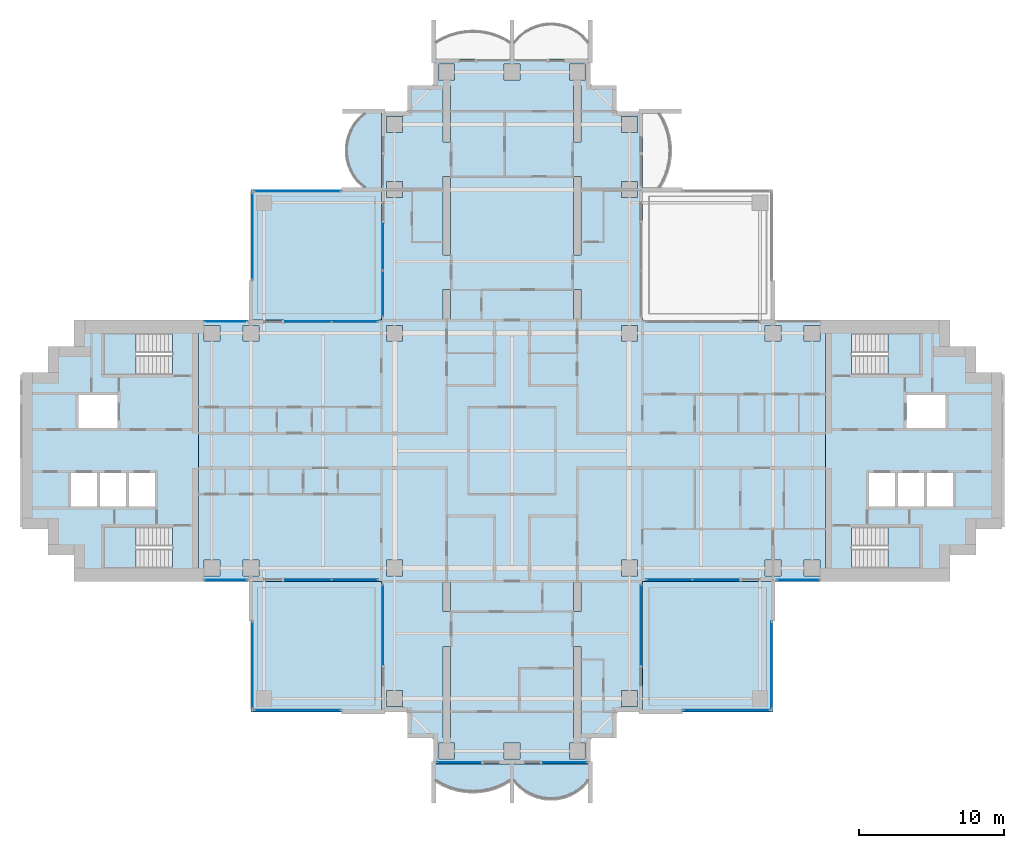
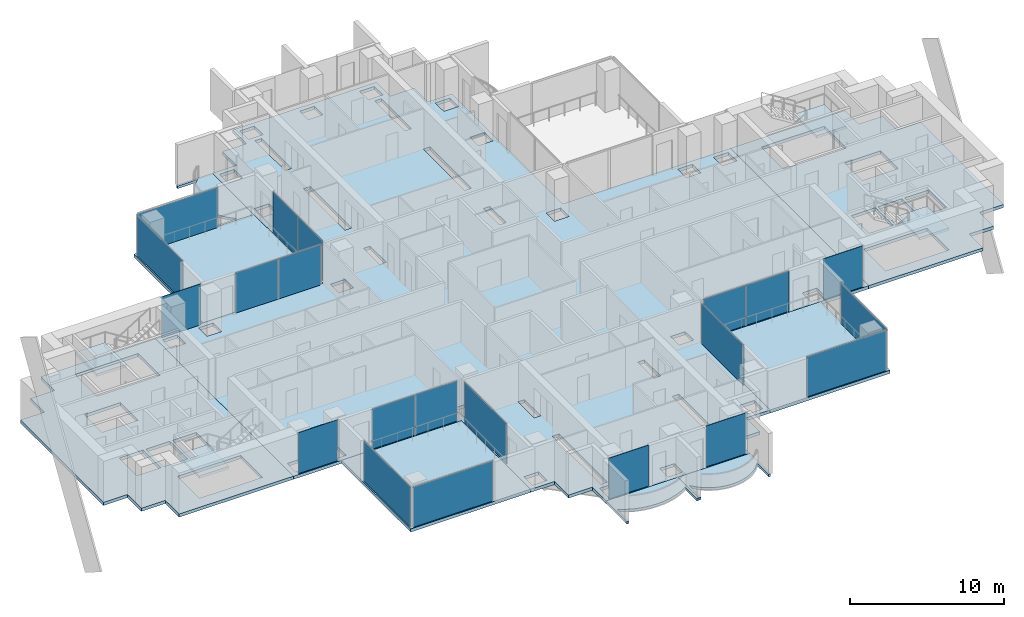
# One storey, part 7 of 19: 21 plates, 13 slabs, 21 elements without a shape of their own.
"""IFC4 building model written with IfcOpenShell, lengths in metres."""

from ifc_helpers import new_model, si_unit, direction, frame, origin, origin_2d, place, context, subcontext, project, spatial, polyline, rectangle, outline, extrude, material, layer, layer_set, type_object, element, aggregate, save


model = new_model("IFC4")

# Units and contexts
model_context = context("Model", 3, precision=1e-05, world=origin(), true_north=direction((0.0, 1.0)))
body_context = subcontext(model_context, "Body", "Model", "MODEL_VIEW")
ifc_project = project(units=[si_unit("LENGTHUNIT", "METRE"), si_unit("AREAUNIT", "SQUARE_METRE"), si_unit("VOLUMEUNIT", "CUBIC_METRE"), si_unit("PLANEANGLEUNIT", "RADIAN"), si_unit("MASSUNIT", "GRAM", prefix="KILO")], contexts=[model_context])

# Site, building, storey
site_placement = place(None, origin())
site = spatial("IfcSite", under=ifc_project, at=site_placement, CompositionType="ELEMENT")
building_placement = place(site_placement, origin())
building = spatial("IfcBuilding", under=site, at=building_placement, Name="Perihelion Cross Residences", CompositionType="ELEMENT")
storey_placement = place(building_placement, frame((0.0, 0.0, 109.39990234375)))
storey = spatial("IfcBuildingStorey", under=building, at=storey_placement, Name="L25", CompositionType="ELEMENT", Elevation=109.39990234375)

# Slabs
ifc_material_1 = material(Name="Concrete C40/50", Category="concrete")
ifc_layer_1 = layer(ifc_material_1, 0.199951171875)
ifc_layer_set_1 = layer_set([ifc_layer_1], Name="Balcony slab 200")
slab_type_1 = type_object("IfcSlabType", Name="Balcony slab 200", PredefinedType="FLOOR", material=ifc_layer_set_1)
slab_1_placement = place(storey_placement, frame((0.0, 0.0, -0.199951171875)))
element("IfcSlab", 1, at=slab_1_placement, inside=storey, type_object=slab_type_1, Name="Slab BK1 L25 north side west bay 1 balcony", PredefinedType="FLOOR", context=body_context, shape_type="SweptSolid", body=[
    extrude(outline(polyline([(-9.0, 23.39990234375), (-9.0, 18.0), (-11.699951171875, 18.0), (-11.699951171875, 18.14990234375), (-10.199951171875, 18.14990234375), (-10.622314453125, 18.542236328125), (-10.924072265625, 18.9345703125), (-11.143310546875, 19.326904296875), (-11.29736328125, 19.71923828125), (-11.39599609375, 20.111572265625), (-11.444091796875, 20.50390625), (-11.444091796875, 20.896240234375), (-11.39599609375, 21.28857421875), (-11.29736328125, 21.6806640625), (-11.143310546875, 22.072998046875), (-10.924072265625, 22.46533203125), (-10.622314453125, 22.857666015625), (-10.199951171875, 23.25), (-11.699951171875, 23.25), (-11.699951171875, 23.39990234375), (-9.0, 23.39990234375)])), origin(), (0.0, 0.0, 1.0), 0.199951171875),
])
slab_2_placement = place(storey_placement, frame((0.0, 0.0, -0.199951171875)))
element("IfcSlab", 2, at=slab_2_placement, inside=storey, type_object=slab_type_1, Name="Slab BK1 L25 south tip south bay 1 balcony", PredefinedType="FLOOR", context=body_context, shape_type="SweptSolid", body=[
    extrude(outline(polyline([(-5.39990234375, -21.60009765625), (0.0, -21.60009765625), (0.0, -24.300048828125), (-0.14990234375, -24.300048828125), (-0.14990234375, -22.800048828125), (-0.659912109375, -23.085205078125), (-1.169921875, -23.294677734375), (-1.679931640625, -23.438232421875), (-2.18994140625, -23.522216796875), (-2.699951171875, -23.550048828125), (-3.2099609375, -23.522216796875), (-3.719970703125, -23.438232421875), (-4.22998046875, -23.294677734375), (-4.739990234375, -23.085205078125), (-5.25, -22.800048828125), (-5.25, -24.300048828125), (-5.39990234375, -24.300048828125), (-5.39990234375, -21.60009765625)])), origin(), (0.0, 0.0, 1.0), 0.199951171875),
])
slab_3_placement = place(storey_placement, frame((0.0, 0.0, -0.199951171875)))
element("IfcSlab", 3, at=slab_3_placement, inside=storey, type_object=slab_type_1, Name="Slab BK1 L25 south tip south bay 2 balcony", PredefinedType="FLOOR", context=body_context, shape_type="SweptSolid", body=[
    extrude(outline(polyline([(0.0, -21.60009765625), (5.39990234375, -21.60009765625), (5.39990234375, -24.300048828125), (5.25, -24.300048828125), (5.25, -22.800048828125), (4.857666015625, -23.22216796875), (4.46533203125, -23.524169921875), (4.072998046875, -23.7431640625), (3.6806640625, -23.897216796875), (3.28857421875, -23.995849609375), (2.896240234375, -24.0439453125), (2.50390625, -24.0439453125), (2.111572265625, -23.995849609375), (1.71923828125, -23.897216796875), (1.326904296875, -23.7431640625), (0.9345703125, -23.524169921875), (0.542236328125, -23.22216796875), (0.14990234375, -22.800048828125), (0.14990234375, -24.300048828125), (0.0, -24.300048828125), (0.0, -21.60009765625)])), origin(), (0.0, 0.0, 1.0), 0.199951171875),
])

# Curtain wall, plates
ifc_material_2 = material(Name="Bronze anodised aluminium, tinted glazing", Category="aluminium")
curtain_wall_type_1 = type_object("IfcCurtainWallType", Name="CW1", PredefinedType="NOTDEFINED", material=ifc_material_2)
curtain_wall_1_placement = place(storey_placement, origin())
curtain_wall_1 = element("IfcCurtainWall", 4, at=curtain_wall_1_placement, inside=storey, type_object=curtain_wall_type_1, Name="Curtain wall CW1 L25 north side west bay 2", PredefinedType="NOTDEFINED")
ifc_material_3 = material(Name="Tinted laminated glass", Category="glass")
ifc_layer_2 = layer(ifc_material_3, 0.028076171875)
ifc_layer_set_2 = layer_set([ifc_layer_2], Name="CW1 panel")
plate_type_1 = type_object("IfcPlateType", Name="CW1 panel", PredefinedType="CURTAIN_PANEL", material=ifc_layer_set_2)
plate_1_placement = place(storey_placement, frame((-8.89990234375, 14.052490234375, 0.000244140625), z_axis=(0.0, 0.0, 1.0), x_axis=(0.0, -1.0, 0.0)))
plate_1 = element("IfcPlate", 5, at=plate_1_placement, type_object=plate_type_1, Name="CW1 panel 1", PredefinedType="CURTAIN_PANEL", context=body_context, shape_type="SweptSolid", body=[
    extrude(rectangle(XDim=3.195068359375, YDim=0.028076171875, at=origin_2d()), origin(), (0.0, 0.0, 1.0), 3.18994140625),
])
plate_2_placement = place(storey_placement, frame((-8.89990234375, 10.827392578125, 0.000244140625), z_axis=(0.0, 0.0, 1.0), x_axis=(0.0, -1.0, 0.0)))
plate_2 = element("IfcPlate", 6, at=plate_2_placement, type_object=plate_type_1, Name="CW1 panel 2", PredefinedType="CURTAIN_PANEL", context=body_context, shape_type="SweptSolid", body=[
    extrude(rectangle(XDim=3.135009765625, YDim=0.028076171875, at=origin_2d()), origin(), (0.0, 0.0, 1.0), 3.18994140625),
])
aggregate(curtain_wall_1, [plate_1, plate_2])

curtain_wall_2_placement = place(storey_placement, origin())
curtain_wall_2 = element("IfcCurtainWall", 7, at=curtain_wall_2_placement, inside=storey, type_object=curtain_wall_type_1, Name="Curtain wall CW1 L25 west side north bay 1", PredefinedType="NOTDEFINED")
plate_3_placement = place(storey_placement, frame((-10.827392578125, 8.89990234375, 0.000244140625), z_axis=(0.0, 0.0, 1.0), x_axis=(-1.0, 0.0, 0.0)))
plate_3 = element("IfcPlate", 8, at=plate_3_placement, type_object=plate_type_1, Name="CW1 panel 1", PredefinedType="CURTAIN_PANEL", context=body_context, shape_type="SweptSolid", body=[
    extrude(rectangle(XDim=3.135009765625, YDim=0.028076171875, at=origin_2d()), origin(), (0.0, 0.0, 1.0), 3.18994140625),
])
plate_4_placement = place(storey_placement, frame((-14.052490234375, 8.89990234375, 0.000244140625), z_axis=(0.0, 0.0, 1.0), x_axis=(-1.0, 0.0, 0.0)))
plate_4 = element("IfcPlate", 9, at=plate_4_placement, type_object=plate_type_1, Name="CW1 panel 2", PredefinedType="CURTAIN_PANEL", context=body_context, shape_type="SweptSolid", body=[
    extrude(rectangle(XDim=3.195068359375, YDim=0.028076171875, at=origin_2d()), origin(), (0.0, 0.0, 1.0), 3.18994140625),
])
aggregate(curtain_wall_2, [plate_3, plate_4])

# Curtain wall, plate
curtain_wall_3_placement = place(storey_placement, origin())
curtain_wall_3 = element("IfcCurtainWall", 10, at=curtain_wall_3_placement, inside=storey, type_object=curtain_wall_type_1, Name="Curtain wall CW1 L25 west side north bay 2", PredefinedType="NOTDEFINED")
plate_5_placement = place(storey_placement, frame((-19.72509765625, 8.89990234375, 0.0), z_axis=(0.0, 0.0, 1.0), x_axis=(-1.0, 0.0, 0.0)))
plate_5 = element("IfcPlate", 11, at=plate_5_placement, type_object=plate_type_1, Name="CW1 panel 1", PredefinedType="CURTAIN_PANEL", context=body_context, shape_type="SweptSolid", body=[
    extrude(rectangle(XDim=2.929931640625, YDim=0.028076171875, at=origin_2d()), origin(), (0.0, 0.0, 1.0), 3.25),
])
aggregate(curtain_wall_3, [plate_5])

curtain_wall_4_placement = place(storey_placement, origin())
curtain_wall_4 = element("IfcCurtainWall", 12, at=curtain_wall_4_placement, inside=storey, type_object=curtain_wall_type_1, Name="Curtain wall CW1 L25 west side south bay 1", PredefinedType="NOTDEFINED")
plate_6_placement = place(storey_placement, frame((-19.72509765625, -8.89990234375, 0.0), z_axis=(0.0, 0.0, 1.0), x_axis=(1.0, 0.0, 0.0)))
plate_6 = element("IfcPlate", 13, at=plate_6_placement, type_object=plate_type_1, Name="CW1 panel 1", PredefinedType="CURTAIN_PANEL", context=body_context, shape_type="SweptSolid", body=[
    extrude(rectangle(XDim=2.929931640625, YDim=0.028076171875, at=origin_2d()), origin(), (0.0, 0.0, 1.0), 3.25),
])
aggregate(curtain_wall_4, [plate_6])

# Curtain wall, plates
curtain_wall_5_placement = place(storey_placement, origin())
curtain_wall_5 = element("IfcCurtainWall", 14, at=curtain_wall_5_placement, inside=storey, type_object=curtain_wall_type_1, Name="Curtain wall CW1 L25 west side south bay 2", PredefinedType="NOTDEFINED")
plate_7_placement = place(storey_placement, frame((-14.052490234375, -8.89990234375, 0.000244140625), z_axis=(0.0, 0.0, 1.0), x_axis=(1.0, 0.0, 0.0)))
plate_7 = element("IfcPlate", 15, at=plate_7_placement, type_object=plate_type_1, Name="CW1 panel 1", PredefinedType="CURTAIN_PANEL", context=body_context, shape_type="SweptSolid", body=[
    extrude(rectangle(XDim=3.195068359375, YDim=0.028076171875, at=origin_2d()), origin(), (0.0, 0.0, 1.0), 3.18994140625),
])
plate_8_placement = place(storey_placement, frame((-10.827392578125, -8.89990234375, 0.000244140625), z_axis=(0.0, 0.0, 1.0), x_axis=(1.0, 0.0, 0.0)))
plate_8 = element("IfcPlate", 16, at=plate_8_placement, type_object=plate_type_1, Name="CW1 panel 2", PredefinedType="CURTAIN_PANEL", context=body_context, shape_type="SweptSolid", body=[
    extrude(rectangle(XDim=3.135009765625, YDim=0.028076171875, at=origin_2d()), origin(), (0.0, 0.0, 1.0), 3.18994140625),
])
aggregate(curtain_wall_5, [plate_7, plate_8])

# Curtain wall, plate
curtain_wall_6_placement = place(storey_placement, origin())
curtain_wall_6 = element("IfcCurtainWall", 17, at=curtain_wall_6_placement, inside=storey, type_object=curtain_wall_type_1, Name="Curtain wall CW1 L25 south side west bay 1", PredefinedType="NOTDEFINED")
plate_9_placement = place(storey_placement, frame((-8.89990234375, -12.0048828125, 0.000244140625), z_axis=(0.0, 0.0, 1.0), x_axis=(0.0, -1.0, 0.0)))
plate_9 = element("IfcPlate", 18, at=plate_9_placement, type_object=plate_type_1, Name="CW1 panel 1", PredefinedType="CURTAIN_PANEL", context=body_context, shape_type="SweptSolid", body=[
    extrude(rectangle(XDim=5.489990234375, YDim=0.028076171875, at=origin_2d()), origin(), (0.0, 0.0, 1.0), 3.18994140625),
])
aggregate(curtain_wall_6, [plate_9])

curtain_wall_7_placement = place(storey_placement, origin())
curtain_wall_7 = element("IfcCurtainWall", 19, at=curtain_wall_7_placement, inside=storey, type_object=curtain_wall_type_1, Name="Curtain wall CW1 L25 south tip south bay 1", PredefinedType="NOTDEFINED")
plate_10_placement = place(storey_placement, frame((-3.64501953125, -21.5, 0.0), z_axis=(0.0, 0.0, 1.0), x_axis=(1.0, 0.0, 0.0)))
plate_10 = element("IfcPlate", 20, at=plate_10_placement, type_object=plate_type_1, Name="CW1 panel 1", PredefinedType="CURTAIN_PANEL", context=body_context, shape_type="SweptSolid", body=[
    extrude(rectangle(XDim=2.989990234375, YDim=0.028076171875, at=origin_2d()), origin(), (0.0, 0.0, 1.0), 3.25),
])
aggregate(curtain_wall_7, [plate_10])

curtain_wall_8_placement = place(storey_placement, origin())
curtain_wall_8 = element("IfcCurtainWall", 21, at=curtain_wall_8_placement, inside=storey, type_object=curtain_wall_type_1, Name="Curtain wall CW1 L25 south tip south bay 2", PredefinedType="NOTDEFINED")
plate_11_placement = place(storey_placement, frame((3.64501953125, -21.5, 0.0), z_axis=(0.0, 0.0, 1.0), x_axis=(1.0, 0.0, 0.0)))
plate_11 = element("IfcPlate", 22, at=plate_11_placement, type_object=plate_type_1, Name="CW1 panel 1", PredefinedType="CURTAIN_PANEL", context=body_context, shape_type="SweptSolid", body=[
    extrude(rectangle(XDim=2.989990234375, YDim=0.028076171875, at=origin_2d()), origin(), (0.0, 0.0, 1.0), 3.25),
])
aggregate(curtain_wall_8, [plate_11])

curtain_wall_9_placement = place(storey_placement, origin())
curtain_wall_9 = element("IfcCurtainWall", 23, at=curtain_wall_9_placement, inside=storey, type_object=curtain_wall_type_1, Name="Curtain wall CW1 L25 south side east bay 1", PredefinedType="NOTDEFINED")
plate_12_placement = place(storey_placement, frame((8.89990234375, -12.0048828125, 0.000244140625), z_axis=(0.0, 0.0, 1.0), x_axis=(0.0, 1.0, 0.0)))
plate_12 = element("IfcPlate", 24, at=plate_12_placement, type_object=plate_type_1, Name="CW1 panel 1", PredefinedType="CURTAIN_PANEL", context=body_context, shape_type="SweptSolid", body=[
    extrude(rectangle(XDim=5.489990234375, YDim=0.028076171875, at=origin_2d()), origin(), (0.0, 0.0, 1.0), 3.18994140625),
])
aggregate(curtain_wall_9, [plate_12])

# Curtain wall, plates
curtain_wall_10_placement = place(storey_placement, origin())
curtain_wall_10 = element("IfcCurtainWall", 25, at=curtain_wall_10_placement, inside=storey, type_object=curtain_wall_type_1, Name="Curtain wall CW1 L25 east side south bay 1", PredefinedType="NOTDEFINED")
plate_13_placement = place(storey_placement, frame((10.827392578125, -8.89990234375, 0.000244140625), z_axis=(0.0, 0.0, 1.0), x_axis=(1.0, 0.0, 0.0)))
plate_13 = element("IfcPlate", 26, at=plate_13_placement, type_object=plate_type_1, Name="CW1 panel 1", PredefinedType="CURTAIN_PANEL", context=body_context, shape_type="SweptSolid", body=[
    extrude(rectangle(XDim=3.135009765625, YDim=0.028076171875, at=origin_2d()), origin(), (0.0, 0.0, 1.0), 3.18994140625),
])
plate_14_placement = place(storey_placement, frame((14.052490234375, -8.89990234375, 0.000244140625), z_axis=(0.0, 0.0, 1.0), x_axis=(1.0, 0.0, 0.0)))
plate_14 = element("IfcPlate", 27, at=plate_14_placement, type_object=plate_type_1, Name="CW1 panel 2", PredefinedType="CURTAIN_PANEL", context=body_context, shape_type="SweptSolid", body=[
    extrude(rectangle(XDim=3.195068359375, YDim=0.028076171875, at=origin_2d()), origin(), (0.0, 0.0, 1.0), 3.18994140625),
])
aggregate(curtain_wall_10, [plate_13, plate_14])

# Curtain wall, plate
curtain_wall_11_placement = place(storey_placement, origin())
curtain_wall_11 = element("IfcCurtainWall", 28, at=curtain_wall_11_placement, inside=storey, type_object=curtain_wall_type_1, Name="Curtain wall CW1 L25 east side south bay 2", PredefinedType="NOTDEFINED")
plate_15_placement = place(storey_placement, frame((19.72509765625, -8.89990234375, 0.0), z_axis=(0.0, 0.0, 1.0), x_axis=(1.0, 0.0, 0.0)))
plate_15 = element("IfcPlate", 29, at=plate_15_placement, type_object=plate_type_1, Name="CW1 panel 1", PredefinedType="CURTAIN_PANEL", context=body_context, shape_type="SweptSolid", body=[
    extrude(rectangle(XDim=2.929931640625, YDim=0.028076171875, at=origin_2d()), origin(), (0.0, 0.0, 1.0), 3.25),
])
aggregate(curtain_wall_11, [plate_15])

ifc_material_4 = material(Name="Bronze anodised aluminium, tinted glazing", Category="aluminium")
curtain_wall_type_2 = type_object("IfcCurtainWallType", Name="CW4", PredefinedType="NOTDEFINED", material=ifc_material_4)
curtain_wall_12_placement = place(storey_placement, origin())
curtain_wall_12 = element("IfcCurtainWall", 30, at=curtain_wall_12_placement, inside=storey, type_object=curtain_wall_type_2, Name="Curtain wall CW4 L25 pocket north-west 1 1", PredefinedType="NOTDEFINED")
ifc_material_5 = material(Name="Tinted laminated glass", Category="glass")
ifc_layer_3 = layer(ifc_material_5, 0.030029296875)
ifc_layer_set_3 = layer_set([ifc_layer_3], Name="CW4 panel")
plate_type_2 = type_object("IfcPlateType", Name="CW4 panel", PredefinedType="CURTAIN_PANEL", material=ifc_layer_set_3)
plate_16_placement = place(storey_placement, frame((-17.89990234375, 14.784912109375, 0.000244140625), z_axis=(0.0, 0.0, 1.0), x_axis=(0.0, 1.0, 0.0)))
plate_16 = element("IfcPlate", 31, at=plate_16_placement, type_object=plate_type_2, Name="CW4 panel 1", PredefinedType="CURTAIN_PANEL", context=body_context, shape_type="SweptSolid", body=[
    extrude(rectangle(XDim=5.969970703125, YDim=0.030029296875, at=origin_2d()), origin(), (0.0, 0.0, 1.0), 3.18994140625),
])
aggregate(curtain_wall_12, [plate_16])

curtain_wall_13_placement = place(storey_placement, origin())
curtain_wall_13 = element("IfcCurtainWall", 32, at=curtain_wall_13_placement, inside=storey, type_object=curtain_wall_type_2, Name="Curtain wall CW4 L25 pocket north-west 1 2", PredefinedType="NOTDEFINED")
plate_17_placement = place(storey_placement, frame((-14.784912109375, 17.89990234375, 0.000244140625), z_axis=(0.0, 0.0, 1.0), x_axis=(1.0, 0.0, 0.0)))
plate_17 = element("IfcPlate", 33, at=plate_17_placement, type_object=plate_type_2, Name="CW4 panel 1", PredefinedType="CURTAIN_PANEL", context=body_context, shape_type="SweptSolid", body=[
    extrude(rectangle(XDim=5.969970703125, YDim=0.030029296875, at=origin_2d()), origin(), (0.0, 0.0, 1.0), 3.18994140625),
])
aggregate(curtain_wall_13, [plate_17])

curtain_wall_14_placement = place(storey_placement, origin())
curtain_wall_14 = element("IfcCurtainWall", 34, at=curtain_wall_14_placement, inside=storey, type_object=curtain_wall_type_2, Name="Curtain wall CW4 L25 pocket south-east 1 1", PredefinedType="NOTDEFINED")
plate_18_placement = place(storey_placement, frame((17.89990234375, -14.784912109375, 0.000244140625), z_axis=(0.0, 0.0, 1.0), x_axis=(0.0, -1.0, 0.0)))
plate_18 = element("IfcPlate", 35, at=plate_18_placement, type_object=plate_type_2, Name="CW4 panel 1", PredefinedType="CURTAIN_PANEL", context=body_context, shape_type="SweptSolid", body=[
    extrude(rectangle(XDim=5.969970703125, YDim=0.030029296875, at=origin_2d()), origin(), (0.0, 0.0, 1.0), 3.18994140625),
])
aggregate(curtain_wall_14, [plate_18])

curtain_wall_15_placement = place(storey_placement, origin())
curtain_wall_15 = element("IfcCurtainWall", 36, at=curtain_wall_15_placement, inside=storey, type_object=curtain_wall_type_2, Name="Curtain wall CW4 L25 pocket south-east 1 2", PredefinedType="NOTDEFINED")
plate_19_placement = place(storey_placement, frame((14.784912109375, -17.89990234375, 0.000244140625), z_axis=(0.0, 0.0, 1.0), x_axis=(-1.0, 0.0, 0.0)))
plate_19 = element("IfcPlate", 37, at=plate_19_placement, type_object=plate_type_2, Name="CW4 panel 1", PredefinedType="CURTAIN_PANEL", context=body_context, shape_type="SweptSolid", body=[
    extrude(rectangle(XDim=5.969970703125, YDim=0.030029296875, at=origin_2d()), origin(), (0.0, 0.0, 1.0), 3.18994140625),
])
aggregate(curtain_wall_15, [plate_19])

curtain_wall_16_placement = place(storey_placement, origin())
curtain_wall_16 = element("IfcCurtainWall", 38, at=curtain_wall_16_placement, inside=storey, type_object=curtain_wall_type_2, Name="Curtain wall CW4 L25 pocket south-west 1 1", PredefinedType="NOTDEFINED")
plate_20_placement = place(storey_placement, frame((-14.784912109375, -17.89990234375, 0.000244140625), z_axis=(0.0, 0.0, 1.0), x_axis=(-1.0, 0.0, 0.0)))
plate_20 = element("IfcPlate", 39, at=plate_20_placement, type_object=plate_type_2, Name="CW4 panel 1", PredefinedType="CURTAIN_PANEL", context=body_context, shape_type="SweptSolid", body=[
    extrude(rectangle(XDim=5.969970703125, YDim=0.030029296875, at=origin_2d()), origin(), (0.0, 0.0, 1.0), 3.18994140625),
])
aggregate(curtain_wall_16, [plate_20])

curtain_wall_17_placement = place(storey_placement, origin())
curtain_wall_17 = element("IfcCurtainWall", 40, at=curtain_wall_17_placement, inside=storey, type_object=curtain_wall_type_2, Name="Curtain wall CW4 L25 pocket south-west 1 2", PredefinedType="NOTDEFINED")
plate_21_placement = place(storey_placement, frame((-17.89990234375, -14.784912109375, 0.000244140625), z_axis=(0.0, 0.0, 1.0), x_axis=(0.0, 1.0, 0.0)))
plate_21 = element("IfcPlate", 41, at=plate_21_placement, type_object=plate_type_2, Name="CW4 panel 1", PredefinedType="CURTAIN_PANEL", context=body_context, shape_type="SweptSolid", body=[
    extrude(rectangle(XDim=5.969970703125, YDim=0.030029296875, at=origin_2d()), origin(), (0.0, 0.0, 1.0), 3.18994140625),
])
aggregate(curtain_wall_17, [plate_21])

# Slabs
ifc_material_6 = material(Name="Concrete C40/50", Category="concrete")
ifc_layer_4 = layer(ifc_material_6, 0.25)
ifc_layer_set_4 = layer_set([ifc_layer_4], Name="Core floor slab 250")
slab_type_2 = type_object("IfcSlabType", Name="Core floor slab 250", PredefinedType="FLOOR", material=ifc_layer_set_4)
slab_4_placement = place(storey_placement, frame((0.0, 0.0, -0.25)))
element("IfcSlab", 42, at=slab_4_placement, inside=storey, type_object=slab_type_2, Name="East core floor slab", PredefinedType="FLOOR", context=body_context, shape_type="SweptSolid", body=[
    extrude(outline(polyline([(30.199951171875, 7.199951171875), (32.0, 7.199951171875), (32.0, 5.39990234375), (33.800048828125, 5.39990234375), (33.800048828125, -5.39990234375), (32.0, -5.39990234375), (32.0, -7.199951171875), (30.199951171875, -7.199951171875), (30.199951171875, -9.0), (21.60009765625, -9.0), (21.60009765625, 9.0), (30.199951171875, 9.0), (30.199951171875, 7.199951171875)]), holes=[polyline([(28.14990234375, -8.10009765625), (28.14990234375, -5.25), (23.405029296875, -5.25), (23.405029296875, -8.10009765625), (28.14990234375, -8.10009765625)]), polyline([(24.60009765625, -1.550048828125), (24.60009765625, -3.85009765625), (26.39990234375, -3.85009765625), (26.39990234375, -1.550048828125), (24.60009765625, -1.550048828125)]), polyline([(26.60009765625, -1.550048828125), (26.60009765625, -3.85009765625), (28.39990234375, -3.85009765625), (28.39990234375, -1.550048828125), (26.60009765625, -1.550048828125)]), polyline([(28.60009765625, -3.85009765625), (30.39990234375, -3.85009765625), (30.39990234375, -1.550048828125), (28.60009765625, -1.550048828125), (28.60009765625, -3.85009765625)]), polyline([(27.199951171875, 3.85009765625), (27.199951171875, 1.550048828125), (29.89990234375, 1.550048828125), (29.89990234375, 3.85009765625), (27.199951171875, 3.85009765625)]), polyline([(23.405029296875, 5.25), (28.14990234375, 5.25), (28.14990234375, 8.10009765625), (23.405029296875, 8.10009765625), (23.405029296875, 5.25)])]), origin(), (0.0, 0.0, 1.0), 0.25),
])
slab_5_placement = place(storey_placement, frame((0.0, 0.0, -0.25)))
element("IfcSlab", 43, at=slab_5_placement, inside=storey, type_object=slab_type_2, Name="West core floor slab", PredefinedType="FLOOR", context=body_context, shape_type="SweptSolid", body=[
    extrude(outline(polyline([(-30.199951171875, 7.199951171875), (-32.0, 7.199951171875), (-32.0, 5.39990234375), (-33.800048828125, 5.39990234375), (-33.800048828125, -5.39990234375), (-32.0, -5.39990234375), (-32.0, -7.199951171875), (-30.199951171875, -7.199951171875), (-30.199951171875, -9.0), (-21.60009765625, -9.0), (-21.60009765625, 9.0), (-30.199951171875, 9.0), (-30.199951171875, 7.199951171875)]), holes=[polyline([(-28.14990234375, -8.10009765625), (-28.14990234375, -5.25), (-23.405029296875, -5.25), (-23.405029296875, -8.10009765625), (-28.14990234375, -8.10009765625)]), polyline([(-24.60009765625, -1.550048828125), (-24.60009765625, -3.85009765625), (-26.39990234375, -3.85009765625), (-26.39990234375, -1.550048828125), (-24.60009765625, -1.550048828125)]), polyline([(-26.60009765625, -1.550048828125), (-26.60009765625, -3.85009765625), (-28.39990234375, -3.85009765625), (-28.39990234375, -1.550048828125), (-26.60009765625, -1.550048828125)]), polyline([(-28.60009765625, -3.85009765625), (-30.39990234375, -3.85009765625), (-30.39990234375, -1.550048828125), (-28.60009765625, -1.550048828125), (-28.60009765625, -3.85009765625)]), polyline([(-27.199951171875, 3.85009765625), (-27.199951171875, 1.550048828125), (-29.89990234375, 1.550048828125), (-29.89990234375, 3.85009765625), (-27.199951171875, 3.85009765625)]), polyline([(-23.405029296875, 5.25), (-28.14990234375, 5.25), (-28.14990234375, 8.10009765625), (-23.405029296875, 8.10009765625), (-23.405029296875, 5.25)])]), origin(), (0.0, 0.0, 1.0), 0.25),
])

# Stair, slab
ifc_material_7 = material(Name="Concrete C40/50", Category="concrete")
stair_type = type_object("IfcStairType", Name="Exit stair, half-turn", PredefinedType="HALF_TURN_STAIR", material=ifc_material_7)
stair_1_placement = place(storey_placement, origin())
stair_1 = element("IfcStair", 44, at=stair_1_placement, inside=storey, type_object=stair_type, Name="L25 East core exit stair 1", PredefinedType="HALF_TURN_STAIR")
ifc_material_8 = material(Name="Concrete C40/50", Category="concrete")
ifc_layer_5 = layer(ifc_material_8, 0.199951171875)
ifc_layer_set_5 = layer_set([ifc_layer_5], Name="Exit stair landing 200")
slab_type_3 = type_object("IfcSlabType", Name="Exit stair landing 200", PredefinedType="LANDING", material=ifc_layer_set_5)
slab_6_placement = place(storey_placement, frame((0.0, 0.0, 1.550048828125)))
slab_6 = element("IfcSlab", 45, at=slab_6_placement, type_object=slab_type_3, Name="ST-E1 landing 1", PredefinedType="LANDING", context=body_context, shape_type="SweptSolid", body=[
    extrude(outline(polyline([(25.919921875, 5.25), (28.14990234375, 5.25), (28.14990234375, 8.10009765625), (25.919921875, 8.10009765625), (25.919921875, 5.25)])), origin(), (0.0, 0.0, 1.0), 0.199951171875),
])
aggregate(stair_1, [slab_6])

stair_2_placement = place(storey_placement, origin())
stair_2 = element("IfcStair", 46, at=stair_2_placement, inside=storey, type_object=stair_type, Name="L25 East core exit stair 2", PredefinedType="HALF_TURN_STAIR")
slab_7_placement = place(storey_placement, frame((0.0, 0.0, 1.550048828125)))
slab_7 = element("IfcSlab", 47, at=slab_7_placement, type_object=slab_type_3, Name="ST-E2 landing 1", PredefinedType="LANDING", context=body_context, shape_type="SweptSolid", body=[
    extrude(outline(polyline([(25.919921875, -8.10009765625), (28.14990234375, -8.10009765625), (28.14990234375, -5.25), (25.919921875, -5.25), (25.919921875, -8.10009765625)])), origin(), (0.0, 0.0, 1.0), 0.199951171875),
])
aggregate(stair_2, [slab_7])

stair_3_placement = place(storey_placement, origin())
stair_3 = element("IfcStair", 48, at=stair_3_placement, inside=storey, type_object=stair_type, Name="L25 West core exit stair 1", PredefinedType="HALF_TURN_STAIR")
slab_8_placement = place(storey_placement, frame((0.0, 0.0, 1.550048828125)))
slab_8 = element("IfcSlab", 49, at=slab_8_placement, type_object=slab_type_3, Name="ST-W1 landing 1", PredefinedType="LANDING", context=body_context, shape_type="SweptSolid", body=[
    extrude(outline(polyline([(-25.919921875, 8.10009765625), (-28.14990234375, 8.10009765625), (-28.14990234375, 5.25), (-25.919921875, 5.25), (-25.919921875, 8.10009765625)])), origin(), (0.0, 0.0, 1.0), 0.199951171875),
])
aggregate(stair_3, [slab_8])

stair_4_placement = place(storey_placement, origin())
stair_4 = element("IfcStair", 50, at=stair_4_placement, inside=storey, type_object=stair_type, Name="L25 West core exit stair 2", PredefinedType="HALF_TURN_STAIR")
slab_9_placement = place(storey_placement, frame((0.0, 0.0, 1.550048828125)))
slab_9 = element("IfcSlab", 51, at=slab_9_placement, type_object=slab_type_3, Name="ST-W2 landing 1", PredefinedType="LANDING", context=body_context, shape_type="SweptSolid", body=[
    extrude(outline(polyline([(-25.919921875, -5.25), (-28.14990234375, -5.25), (-28.14990234375, -8.10009765625), (-25.919921875, -8.10009765625), (-25.919921875, -5.25)])), origin(), (0.0, 0.0, 1.0), 0.199951171875),
])
aggregate(stair_4, [slab_9])

# Slabs
ifc_material_9 = material(Name="Concrete C50/60", Category="concrete")
ifc_layer_6 = layer(ifc_material_9, 0.25)
ifc_layer_set_6 = layer_set([ifc_layer_6], Name="Residential floor post-tensioned slab concrete C50/60")
slab_type_4 = type_object("IfcSlabType", Name="Residential floor post-tensioned slab concrete C50/60", PredefinedType="FLOOR", material=ifc_layer_set_6)
slab_10_placement = place(storey_placement, frame((0.0, 0.0, -0.25)))
element("IfcSlab", 52, at=slab_10_placement, inside=storey, type_object=slab_type_4, Name="Slab SL8 L25 1 no. 1", PredefinedType="FLOOR", context=body_context, shape_type="SweptSolid", body=[
    extrude(outline(polyline([(-9.0, 9.0), (-9.0, 23.39990234375), (-7.199951171875, 23.39990234375), (-7.199951171875, 25.199951171875), (-5.39990234375, 25.199951171875), (-5.39990234375, 27.0), (5.39990234375, 27.0), (5.39990234375, 25.199951171875), (7.199951171875, 25.199951171875), (7.199951171875, 23.39990234375), (9.0, 23.39990234375), (9.0, 9.0), (21.60009765625, 9.0), (21.60009765625, -9.0), (9.0, -9.0), (9.0, -18.0), (7.199951171875, -18.0), (7.199951171875, -19.800048828125), (5.39990234375, -19.800048828125), (5.39990234375, -21.60009765625), (-5.39990234375, -21.60009765625), (-5.39990234375, -19.800048828125), (-7.199951171875, -19.800048828125), (-7.199951171875, -18.0), (-9.0, -18.0), (-9.0, -9.0), (-21.60009765625, -9.0), (-21.60009765625, 9.0), (-9.0, 9.0)]), holes=[polyline([(0.550048828125, -21.25), (0.550048828125, -20.14990234375), (-0.550048828125, -20.14990234375), (-0.550048828125, -21.25), (0.550048828125, -21.25)]), polyline([(-3.949951171875, -21.25), (-3.949951171875, -20.14990234375), (-5.050048828125, -20.14990234375), (-5.050048828125, -21.25), (-3.949951171875, -21.25)]), polyline([(-7.550048828125, -17.64990234375), (-7.550048828125, -16.550048828125), (-8.64990234375, -16.550048828125), (-8.64990234375, -17.64990234375), (-7.550048828125, -17.64990234375)]), polyline([(-4.25, -19.800048828125), (-4.25, -13.5), (-4.75, -13.5), (-4.75, -19.800048828125), (-4.25, -19.800048828125)]), polyline([(-4.25, -11.10009765625), (-4.25, -9.0), (-4.75, -9.0), (-4.75, -11.10009765625), (-4.25, -11.10009765625)]), polyline([(-20.14990234375, -8.64990234375), (-20.14990234375, -7.550048828125), (-21.25, -7.550048828125), (-21.25, -8.64990234375), (-20.14990234375, -8.64990234375)]), polyline([(-7.550048828125, -8.64990234375), (-7.550048828125, -7.550048828125), (-8.64990234375, -7.550048828125), (-8.64990234375, -8.64990234375), (-7.550048828125, -8.64990234375)]), polyline([(-18.550048828125, -8.64990234375), (-17.449951171875, -8.64990234375), (-17.449951171875, -7.550048828125), (-18.550048828125, -7.550048828125), (-18.550048828125, -8.64990234375)]), polyline([(-7.550048828125, 7.550048828125), (-7.550048828125, 8.64990234375), (-8.64990234375, 8.64990234375), (-8.64990234375, 7.550048828125), (-7.550048828125, 7.550048828125)]), polyline([(-17.449951171875, 7.550048828125), (-17.449951171875, 8.64990234375), (-18.550048828125, 8.64990234375), (-18.550048828125, 7.550048828125), (-17.449951171875, 7.550048828125)]), polyline([(-20.14990234375, 7.550048828125), (-20.14990234375, 8.64990234375), (-21.25, 8.64990234375), (-21.25, 7.550048828125), (-20.14990234375, 7.550048828125)]), polyline([(-4.25, 9.0), (-4.25, 11.10009765625), (-4.75, 11.10009765625), (-4.75, 9.0), (-4.25, 9.0)]), polyline([(-4.25, 13.5), (-4.25, 18.89990234375), (-4.75, 18.89990234375), (-4.75, 13.5), (-4.25, 13.5)]), polyline([(-7.550048828125, 17.449951171875), (-7.550048828125, 18.550048828125), (-8.64990234375, 18.550048828125), (-8.64990234375, 17.449951171875), (-7.550048828125, 17.449951171875)]), polyline([(-7.550048828125, 21.949951171875), (-7.550048828125, 23.050048828125), (-8.64990234375, 23.050048828125), (-8.64990234375, 21.949951171875), (-7.550048828125, 21.949951171875)]), polyline([(-4.75, 21.300048828125), (-4.25, 21.300048828125), (-4.25, 25.199951171875), (-4.75, 25.199951171875), (-4.75, 21.300048828125)]), polyline([(-5.050048828125, 25.550048828125), (-3.949951171875, 25.550048828125), (-3.949951171875, 26.64990234375), (-5.050048828125, 26.64990234375), (-5.050048828125, 25.550048828125)]), polyline([(5.050048828125, -21.25), (5.050048828125, -20.14990234375), (3.949951171875, -20.14990234375), (3.949951171875, -21.25), (5.050048828125, -21.25)]), polyline([(8.64990234375, -17.64990234375), (8.64990234375, -16.550048828125), (7.550048828125, -16.550048828125), (7.550048828125, -17.64990234375), (8.64990234375, -17.64990234375)]), polyline([(4.75, -19.800048828125), (4.75, -13.5), (4.25, -13.5), (4.25, -19.800048828125), (4.75, -19.800048828125)]), polyline([(4.75, -11.10009765625), (4.75, -9.0), (4.25, -9.0), (4.25, -11.10009765625), (4.75, -11.10009765625)]), polyline([(21.25, -8.64990234375), (21.25, -7.550048828125), (20.14990234375, -7.550048828125), (20.14990234375, -8.64990234375), (21.25, -8.64990234375)]), polyline([(18.550048828125, -8.64990234375), (18.550048828125, -7.550048828125), (17.449951171875, -7.550048828125), (17.449951171875, -8.64990234375), (18.550048828125, -8.64990234375)]), polyline([(8.64990234375, -8.64990234375), (8.64990234375, -7.550048828125), (7.550048828125, -7.550048828125), (7.550048828125, -8.64990234375), (8.64990234375, -8.64990234375)]), polyline([(7.550048828125, 7.550048828125), (8.64990234375, 7.550048828125), (8.64990234375, 8.64990234375), (7.550048828125, 8.64990234375), (7.550048828125, 7.550048828125)]), polyline([(18.550048828125, 7.550048828125), (18.550048828125, 8.64990234375), (17.449951171875, 8.64990234375), (17.449951171875, 7.550048828125), (18.550048828125, 7.550048828125)]), polyline([(21.25, 7.550048828125), (21.25, 8.64990234375), (20.14990234375, 8.64990234375), (20.14990234375, 7.550048828125), (21.25, 7.550048828125)]), polyline([(4.75, 9.0), (4.75, 11.10009765625), (4.25, 11.10009765625), (4.25, 9.0), (4.75, 9.0)]), polyline([(4.75, 13.5), (4.75, 18.89990234375), (4.25, 18.89990234375), (4.25, 13.5), (4.75, 13.5)]), polyline([(8.64990234375, 17.449951171875), (8.64990234375, 18.550048828125), (7.550048828125, 18.550048828125), (7.550048828125, 17.449951171875), (8.64990234375, 17.449951171875)]), polyline([(8.64990234375, 21.949951171875), (8.64990234375, 23.050048828125), (7.550048828125, 23.050048828125), (7.550048828125, 21.949951171875), (8.64990234375, 21.949951171875)]), polyline([(4.75, 21.300048828125), (4.75, 25.199951171875), (4.25, 25.199951171875), (4.25, 21.300048828125), (4.75, 21.300048828125)]), polyline([(3.949951171875, 25.550048828125), (5.050048828125, 25.550048828125), (5.050048828125, 26.64990234375), (3.949951171875, 26.64990234375), (3.949951171875, 25.550048828125)]), polyline([(-0.550048828125, 25.550048828125), (0.550048828125, 25.550048828125), (0.550048828125, 26.64990234375), (-0.550048828125, 26.64990234375), (-0.550048828125, 25.550048828125)])]), origin(), (0.0, 0.0, 1.0), 0.25),
])
ifc_material_10 = material(Name="Concrete C40/50", Category="concrete")
ifc_layer_7 = layer(ifc_material_10, 0.25)
ifc_layer_set_7 = layer_set([ifc_layer_7], Name="Winter garden slab")
slab_type_5 = type_object("IfcSlabType", Name="Winter garden slab", PredefinedType="FLOOR", material=ifc_layer_set_7)
slab_11_placement = place(storey_placement, frame((0.0, 0.0, -0.25)))
element("IfcSlab", 53, at=slab_11_placement, inside=storey, type_object=slab_type_5, Name="Slab BK3 L25 pocket north-west", PredefinedType="FLOOR", context=body_context, shape_type="SweptSolid", body=[
    extrude(outline(polyline([(-9.0, 9.0), (-9.0, 18.0), (-18.0, 18.0), (-18.0, 9.0), (-9.0, 9.0)])), origin(), (0.0, 0.0, 1.0), 0.25),
])
slab_12_placement = place(storey_placement, frame((0.0, 0.0, -0.25)))
element("IfcSlab", 54, at=slab_12_placement, inside=storey, type_object=slab_type_5, Name="Slab BK3 L25 pocket south-west", PredefinedType="FLOOR", context=body_context, shape_type="SweptSolid", body=[
    extrude(outline(polyline([(-9.0, -18.0), (-9.0, -9.0), (-18.0, -9.0), (-18.0, -18.0), (-9.0, -18.0)])), origin(), (0.0, 0.0, 1.0), 0.25),
])
slab_13_placement = place(storey_placement, frame((0.0, 0.0, -0.25)))
element("IfcSlab", 55, at=slab_13_placement, inside=storey, type_object=slab_type_5, Name="Slab BK3 L25 pocket south-east", PredefinedType="FLOOR", context=body_context, shape_type="SweptSolid", body=[
    extrude(outline(polyline([(18.0, -18.0), (18.0, -9.0), (9.0, -9.0), (9.0, -18.0), (18.0, -18.0)])), origin(), (0.0, 0.0, 1.0), 0.25),
])

save(model, "model.ifc")
